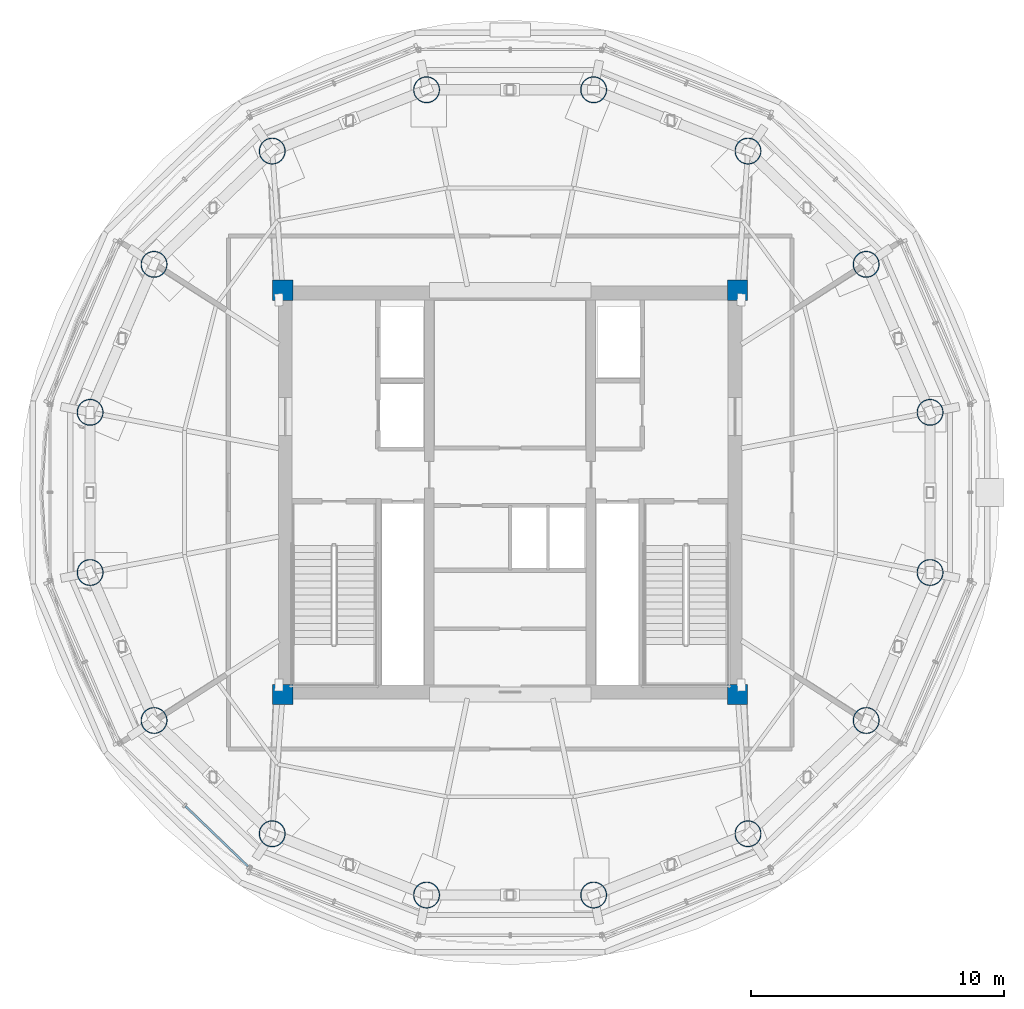
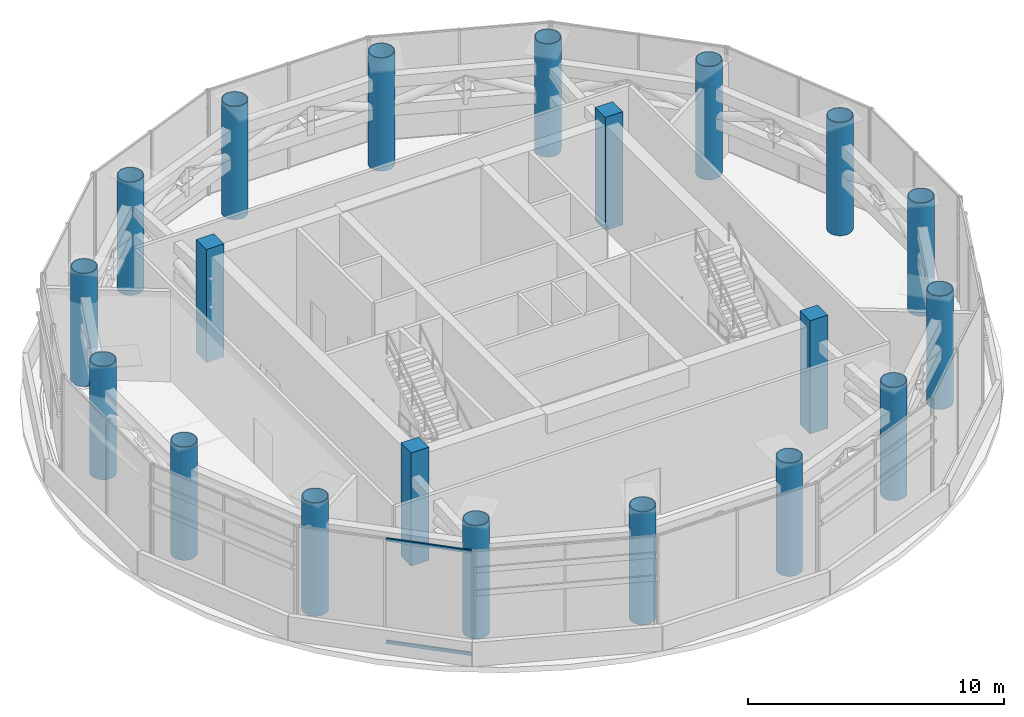
# One storey, part 1 of 21: 20 columns, 2 members, 1 element without a shape of its own.
"""IFC4 building model written with IfcOpenShell, lengths in metres."""

from ifc_helpers import new_model, si_unit, direction, frame, origin, origin_2d, place, context, subcontext, project, spatial, rectangle, hollow_rectangle, hollow_circle, extrude, source, transform, mapped, material, material_profile, profile_set, type_object, element, aggregate, save


model = new_model("IFC4")

# Units and contexts
model_context = context("Model", 3, precision=1e-05, world=origin(), true_north=direction((-0.2419218956, 0.970295726276)))
body_context = subcontext(model_context, "Body", "Model", "MODEL_VIEW")
ifc_project = project(units=[si_unit("LENGTHUNIT", "METRE"), si_unit("AREAUNIT", "SQUARE_METRE"), si_unit("VOLUMEUNIT", "CUBIC_METRE"), si_unit("PLANEANGLEUNIT", "RADIAN"), si_unit("MASSUNIT", "GRAM", prefix="KILO")], contexts=[model_context])

# Site, building, storey
site_placement = place(None, origin())
site = spatial("IfcSite", under=ifc_project, at=site_placement, CompositionType="ELEMENT")
building_placement = place(site_placement, origin())
building = spatial("IfcBuilding", under=site, at=building_placement, Name="Cobrevalo Terracotta Tower", CompositionType="ELEMENT")
storey_placement = place(building_placement, frame((0.0, 0.0, 300.699951171875)))
storey = spatial("IfcBuildingStorey", under=building, at=storey_placement, Name="L79", CompositionType="ELEMENT", Elevation=300.699951171875)

# Columns
ifc_material_1 = material(Name="Steel S355", Category="steel")
ifc_material_profile_1 = material_profile(ifc_material_1, hollow_circle(Radius=0.52490234375, WallThickness=0.034912109375, at=origin_2d()), Name="CHS 1050x35")
ifc_profile_set_1 = profile_set([ifc_material_profile_1], Name="Steel S355")
column_type_1 = type_object("IfcColumnType", Name="Structural Column CHS 1050x35 (Steel S355)", PredefinedType="COLUMN", material=ifc_profile_set_1)
for number, where, z_axis, x_axis, name in (
    (1, (54.624267578125, 29.97021484375, 0.0), (0.0, 0.0, 1.0), (1.0, 0.0, 0.0), "L79 composite megacolumn MC01"),
    (2, (52.093505859375, 35.828125, 0.0), (0.0, 0.0, 1.0), (1.0, 0.0, 0.0), "L79 composite megacolumn MC02"),
    (3, (47.4169921875, 40.311279296875, 0.0), (0.0, 0.0, 1.0), (1.0, 0.0, 0.0), "L79 composite megacolumn MC03"),
    (4, (41.306884765625, 42.73779296875, 0.0), (0.0, 0.0, 1.0), (1.0, 0.0, 0.0), "L79 composite megacolumn MC04"),
    (5, (34.693115234375, 42.73779296875, 0.0), (0.0, 0.0, 1.0), (1.0, 0.0, 0.0), "L79 composite megacolumn MC05"),
    (6, (28.5830078125, 40.311279296875, 0.0), (0.0, 0.0, 1.0), (1.0, 0.0, 0.0), "L79 composite megacolumn MC06"),
    (7, (23.906494140625, 35.828125, 0.0), (0.0, 0.0, 1.0), (1.0, 0.0, 0.0), "L79 composite megacolumn MC07"),
    (8, (21.375732421875, 29.97021484375, 0.0), (0.0, 0.0, 1.0), (1.0, 0.0, 0.0), "L79 composite megacolumn MC08"),
    (9, (21.375732421875, 23.6298828125, 0.0), (0.0, 0.0, 1.0), (1.0, 0.0, 0.0), "L79 composite megacolumn MC09"),
    (10, (23.906494140625, 17.77197265625, 0.0), (0.0, 0.0, 1.0), (1.0, 0.0, 0.0), "L79 composite megacolumn MC10"),
    (11, (28.5830078125, 13.28857421875, 0.0), (0.0, 0.0, 1.0), (1.0, 0.0, 0.0), "L79 composite megacolumn MC11"),
    (12, (34.693115234375, 10.8623046875, 0.0), (0.0, 0.0, 1.0), (1.0, 0.0, 0.0), "L79 composite megacolumn MC12"),
    (13, (41.306884765625, 10.8623046875, 0.0), (0.0, 0.0, 1.0), (1.0, 0.0, 0.0), "L79 composite megacolumn MC13"),
    (14, (47.4169921875, 13.28857421875, 0.0), (0.0, 0.0, 1.0), (1.0, 0.0, 0.0), "L79 composite megacolumn MC14"),
    (15, (52.093505859375, 17.77197265625, 0.0), (0.0, 0.0, 1.0), (1.0, 0.0, 0.0), "L79 composite megacolumn MC15"),
    (16, (54.624267578125, 23.6298828125, 0.0), (0.0, 0.0, 1.0), (1.0, 0.0, 0.0), "L79 composite megacolumn MC16"),
):
    element("IfcColumn", number, at=place(storey_placement, frame(where, z_axis=z_axis, x_axis=x_axis)), inside=storey, type_object=column_type_1, Name=name, PredefinedType="COLUMN", context=body_context, shape_type="SweptSolid", body=[
        extrude(hollow_circle(Radius=0.52490234375, WallThickness=0.034912109375, at=origin_2d()), origin(), (0.0, 0.0, 1.0), 5.400146484375),
    ])
ifc_material_2 = material(Name="Concrete C50", Category="concrete")
ifc_material_profile_2 = material_profile(ifc_material_2, rectangle(XDim=0.800048828125, YDim=0.800048828125, at=origin_2d()), Name="RC COL 800x800")
ifc_profile_set_2 = profile_set([ifc_material_profile_2], Name="Concrete C50")
column_type_2 = type_object("IfcColumnType", Name="Structural Column RC COL 800x800 (Concrete C50)", PredefinedType="COLUMN", material=ifc_profile_set_2)
for number, where, z_axis, x_axis, name in (
    (17, (29.0, 18.800048828125, 0.0), (0.0, 0.0, 1.0), (1.0, 0.0, 0.0), "L79 core corner column CC1"),
    (18, (47.0, 18.800048828125, 0.0), (0.0, 0.0, 1.0), (1.0, 0.0, 0.0), "L79 core corner column CC2"),
    (19, (47.0, 34.800048828125, 0.0), (0.0, 0.0, 1.0), (1.0, 0.0, 0.0), "L79 core corner column CC3"),
    (20, (29.0, 34.800048828125, 0.0), (0.0, 0.0, 1.0), (1.0, 0.0, 0.0), "L79 core corner column CC4"),
):
    element("IfcColumn", number, at=place(storey_placement, frame(where, z_axis=z_axis, x_axis=x_axis)), inside=storey, type_object=column_type_2, Name=name, PredefinedType="COLUMN", context=body_context, shape_type="SweptSolid", body=[
        extrude(rectangle(XDim=0.800048828125, YDim=0.800048828125, at=origin_2d()), origin(), (0.0, 0.0, 1.0), 5.400146484375),
    ])

# Curtain wall, members
ifc_material_3 = material(Name="Anodized aluminium", Category="aluminium")
curtain_wall_type = type_object("IfcCurtainWallType", Name="Belt-truss plant acoustic weather-louvre curtain wall CW-LV", PredefinedType="NOTDEFINED", material=ifc_material_3)
curtain_wall_placement = place(storey_placement, origin())
curtain_wall = element("IfcCurtainWall", 21, at=curtain_wall_placement, inside=storey, type_object=curtain_wall_type, Name="L79 curtain wall CW-LV-L79-S10", PredefinedType="NOTDEFINED")
ifc_material_profile_3 = material_profile(ifc_material_3, hollow_rectangle(XDim=0.074951171875, YDim=0.14990234375, WallThickness=0.00439453125, at=origin_2d()), Name="CWT 75x150")
ifc_profile_set_3 = profile_set([ifc_material_profile_3], Name="Anodized aluminium")
member_type = type_object("IfcMemberType", Name="Tower unitised aluminium transom 75x150", PredefinedType="USERDEFINED", material=ifc_profile_set_3)
shared_shape = source(origin(), body_context, "Body", "SweptSolid", [
    extrude(hollow_rectangle(XDim=0.074951171875, YDim=0.14990234375, WallThickness=0.00439453125, at=origin_2d()), origin(), (0.0, 0.0, 1.0), 3.435302734375),
])
member_1_placement = place(storey_placement, frame((25.150146484375, 14.379150390625, 0.050048828125), z_axis=(0.720550320284, -0.693402650657, 0.0), x_axis=(0.693402650657, 0.720550320284, 0.0)))
member_1 = element("IfcMember", 22, at=member_1_placement, type_object=member_type, Name="CW-LV-L79-S10 transom B02-T1", ObjectType="TRANSOM", PredefinedType="USERDEFINED", context=body_context, shape_type="MappedRepresentation", body=[
    mapped(shared_shape, transform((0.0, 0.0, 0.0), scale=1.0)),
])
member_2_placement = place(storey_placement, frame((25.150146484375, 14.379150390625, 4.929931640625), z_axis=(0.720550320284, -0.693402650657, 0.0), x_axis=(0.693402650657, 0.720550320284, 0.0)))
member_2 = element("IfcMember", 23, at=member_2_placement, type_object=member_type, Name="CW-LV-L79-S10 transom B02-T2", ObjectType="TRANSOM", PredefinedType="USERDEFINED", context=body_context, shape_type="MappedRepresentation", body=[
    mapped(shared_shape, transform((0.0, 0.0, 0.0), scale=1.0)),
])
aggregate(curtain_wall, [member_1, member_2])

save(model, "model.ifc")
